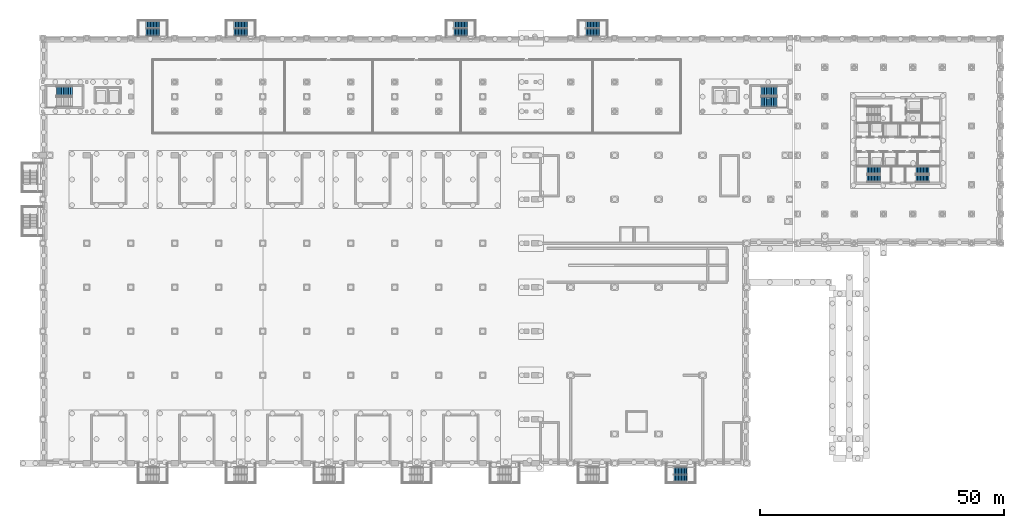
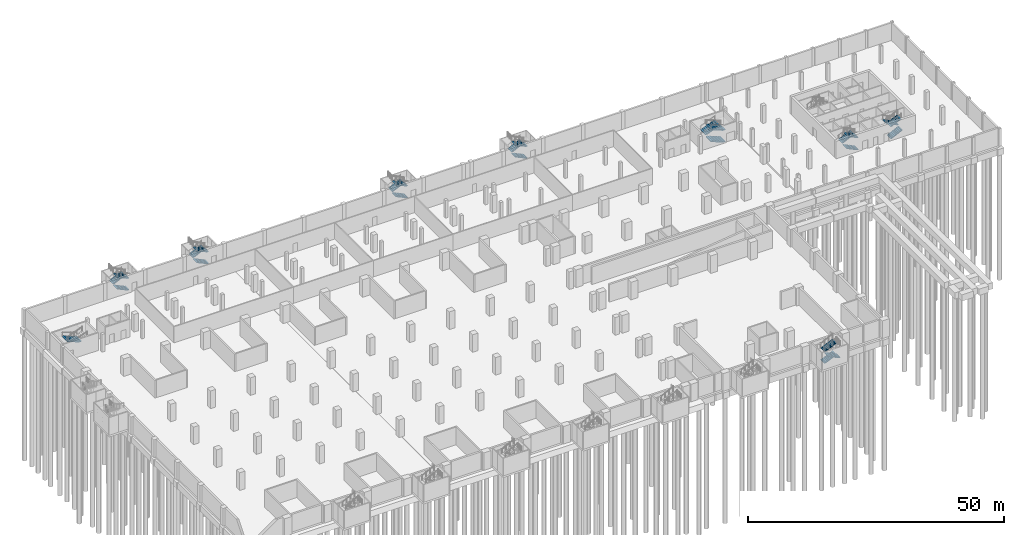
# One storey, part 19 of 29: 25 stair flights, 9 elements without a shape of their own.
"""IFC4 building model written with IfcOpenShell, lengths in metres."""

from ifc_helpers import new_model, si_unit, direction, frame, origin, place, context, subcontext, project, spatial, polyline, outline, extrude, material, type_object, element, aggregate, save


model = new_model("IFC4")

# Units and contexts
model_context = context("Model", 3, precision=1e-05, world=origin(), true_north=direction((0.0, 1.0)))
body_context = subcontext(model_context, "Body", "Model", "MODEL_VIEW")
ifc_project = project(units=[si_unit("LENGTHUNIT", "METRE"), si_unit("AREAUNIT", "SQUARE_METRE"), si_unit("VOLUMEUNIT", "CUBIC_METRE"), si_unit("PLANEANGLEUNIT", "RADIAN"), si_unit("MASSUNIT", "GRAM", prefix="KILO")], contexts=[model_context])

# Site, building, storey
site_placement = place(None, origin())
site = spatial("IfcSite", under=ifc_project, at=site_placement, CompositionType="ELEMENT")
building_placement = place(site_placement, origin())
building = spatial("IfcBuilding", under=site, at=building_placement, Name="Aravalli Gate Trade Fair Centre", CompositionType="ELEMENT")
storey_placement = place(building_placement, frame((0.0, 0.0, -8.39990234375)))
storey = spatial("IfcBuildingStorey", under=building, at=storey_placement, Name="B2", CompositionType="ELEMENT", Elevation=-8.39990234375)

# Stair, stair flights
ifc_material_1 = material(Name="Concrete M40", Category="concrete")
stair_type_1 = type_object("IfcStairType", Name="Basement exit stair 1500", PredefinedType="HALF_TURN_STAIR", material=ifc_material_1)
stair_1_placement = place(storey_placement, origin())
stair_1 = element("IfcStair", 1, at=stair_1_placement, inside=storey, type_object=stair_type_1, Name="Basement exit stair N1 B2 to B1", PredefinedType="HALF_TURN_STAIR")
stair_flight_type_1 = type_object("IfcStairFlightType", Name="Basement exit stair flight 1500", PredefinedType="STRAIGHT", material=ifc_material_1)
stair_flight_1_placement = place(storey_placement, frame((29.85009765625, 134.179931640625, 0.0), z_axis=(0.0, 0.0, 1.0), x_axis=(-1.0, 0.0, 0.0)))
stair_flight_1 = element("IfcStairFlight", 2, at=stair_flight_1_placement, type_object=stair_flight_type_1, Name="BS1 flight 1", NumberOfRisers=10, NumberOfTreads=9, PredefinedType="STRAIGHT", RiserHeight=0.14, TreadLength=0.3, context=body_context, shape_type="SweptSolid", body=[
    extrude(outline(polyline([(0.0, 0.0), (0.0, 0.139892578125), (0.300048828125, 0.139892578125), (0.300048828125, 0.280029296875), (0.60009765625, 0.280029296875), (0.60009765625, 0.419921875), (0.89990234375, 0.419921875), (0.89990234375, 0.56005859375), (1.199951171875, 0.56005859375), (1.199951171875, 0.699951171875), (1.5, 0.699951171875), (1.5, 0.840087890625), (1.800048828125, 0.840087890625), (1.800048828125, 0.97998046875), (2.10009765625, 0.97998046875), (2.10009765625, 1.1201171875), (2.39990234375, 1.1201171875), (2.39990234375, 1.260009765625), (2.699951171875, 1.260009765625), (2.699951171875, 1.39990234375), (2.699951171875, 1.094482421875), (0.3544921875, 0.0), (0.0, 0.0)])), frame((0.0, 0.75, 0.0), z_axis=(0.0, -1.0, 0.0), x_axis=(1.0, 0.0, 0.0)), (0.0, 0.0, 1.0), 1.5),
])
stair_flight_2_placement = place(storey_placement, frame((27.14990234375, 135.679931640625, 1.39990234375), z_axis=(0.0, 0.0, 1.0), x_axis=(1.0, 0.0, 0.0)))
stair_flight_2 = element("IfcStairFlight", 3, at=stair_flight_2_placement, type_object=stair_flight_type_1, Name="BS1 flight 2", NumberOfRisers=10, NumberOfTreads=9, PredefinedType="STRAIGHT", RiserHeight=0.14, TreadLength=0.3, context=body_context, shape_type="SweptSolid", body=[
    extrude(outline(polyline([(0.0, 0.0), (0.0, 0.139892578125), (0.300048828125, 0.139892578125), (0.300048828125, 0.280029296875), (0.60009765625, 0.280029296875), (0.60009765625, 0.419921875), (0.89990234375, 0.419921875), (0.89990234375, 0.56005859375), (1.199951171875, 0.56005859375), (1.199951171875, 0.699951171875), (1.5, 0.699951171875), (1.5, 0.840087890625), (1.800048828125, 0.840087890625), (1.800048828125, 0.97998046875), (2.10009765625, 0.97998046875), (2.10009765625, 1.1201171875), (2.39990234375, 1.1201171875), (2.39990234375, 1.260009765625), (2.699951171875, 1.260009765625), (2.699951171875, 1.39990234375), (2.699951171875, 1.094482421875), (0.3544921875, 0.0), (0.0, 0.0)])), frame((0.0, 0.75, 0.0), z_axis=(0.0, -1.0, 0.0), x_axis=(1.0, 0.0, 0.0)), (0.0, 0.0, 1.0), 1.5),
])
stair_flight_3_placement = place(storey_placement, frame((29.85009765625, 134.179931640625, 2.7998046875), z_axis=(0.0, 0.0, 1.0), x_axis=(-1.0, 0.0, 0.0)))
stair_flight_3 = element("IfcStairFlight", 4, at=stair_flight_3_placement, type_object=stair_flight_type_1, Name="BS1 flight 3", NumberOfRisers=10, NumberOfTreads=9, PredefinedType="STRAIGHT", RiserHeight=0.14, TreadLength=0.3, context=body_context, shape_type="SweptSolid", body=[
    extrude(outline(polyline([(0.0, 0.0), (0.0, 0.139892578125), (0.300048828125, 0.139892578125), (0.300048828125, 0.280029296875), (0.60009765625, 0.280029296875), (0.60009765625, 0.419921875), (0.89990234375, 0.419921875), (0.89990234375, 0.56005859375), (1.199951171875, 0.56005859375), (1.199951171875, 0.699951171875), (1.5, 0.699951171875), (1.5, 0.840087890625), (1.800048828125, 0.840087890625), (1.800048828125, 0.97998046875), (2.10009765625, 0.97998046875), (2.10009765625, 1.1201171875), (2.39990234375, 1.1201171875), (2.39990234375, 1.260009765625), (2.699951171875, 1.260009765625), (2.699951171875, 1.39990234375), (2.699951171875, 1.094482421875), (0.3544921875, 0.0), (0.0, 0.0)])), frame((0.0, 0.75, 0.0), z_axis=(0.0, -1.0, 0.0), x_axis=(1.0, 0.0, 0.0)), (0.0, 0.0, 1.0), 1.5),
])
aggregate(stair_1, [stair_flight_1, stair_flight_2, stair_flight_3])

stair_2_placement = place(storey_placement, origin())
stair_2 = element("IfcStair", 5, at=stair_2_placement, inside=storey, type_object=stair_type_1, Name="Basement exit stair N2 B2 to B1", PredefinedType="HALF_TURN_STAIR")
stair_flight_4_placement = place(storey_placement, frame((47.85009765625, 134.179931640625, 0.0), z_axis=(0.0, 0.0, 1.0), x_axis=(-1.0, 0.0, 0.0)))
stair_flight_4 = element("IfcStairFlight", 6, at=stair_flight_4_placement, type_object=stair_flight_type_1, Name="BS1 flight 1", NumberOfRisers=10, NumberOfTreads=9, PredefinedType="STRAIGHT", RiserHeight=0.14, TreadLength=0.3, context=body_context, shape_type="SweptSolid", body=[
    extrude(outline(polyline([(0.0, 0.0), (0.0, 0.139892578125), (0.300048828125, 0.139892578125), (0.300048828125, 0.280029296875), (0.60009765625, 0.280029296875), (0.60009765625, 0.419921875), (0.89990234375, 0.419921875), (0.89990234375, 0.56005859375), (1.199951171875, 0.56005859375), (1.199951171875, 0.699951171875), (1.5, 0.699951171875), (1.5, 0.840087890625), (1.800048828125, 0.840087890625), (1.800048828125, 0.97998046875), (2.10009765625, 0.97998046875), (2.10009765625, 1.1201171875), (2.39990234375, 1.1201171875), (2.39990234375, 1.260009765625), (2.699951171875, 1.260009765625), (2.699951171875, 1.39990234375), (2.699951171875, 1.094482421875), (0.3544921875, 0.0), (0.0, 0.0)])), frame((0.0, 0.75, 0.0), z_axis=(0.0, -1.0, 0.0), x_axis=(1.0, 0.0, 0.0)), (0.0, 0.0, 1.0), 1.5),
])
stair_flight_5_placement = place(storey_placement, frame((45.14990234375, 135.679931640625, 1.39990234375), z_axis=(0.0, 0.0, 1.0), x_axis=(1.0, 0.0, 0.0)))
stair_flight_5 = element("IfcStairFlight", 7, at=stair_flight_5_placement, type_object=stair_flight_type_1, Name="BS1 flight 2", NumberOfRisers=10, NumberOfTreads=9, PredefinedType="STRAIGHT", RiserHeight=0.14, TreadLength=0.3, context=body_context, shape_type="SweptSolid", body=[
    extrude(outline(polyline([(0.0, 0.0), (0.0, 0.139892578125), (0.300048828125, 0.139892578125), (0.300048828125, 0.280029296875), (0.60009765625, 0.280029296875), (0.60009765625, 0.419921875), (0.89990234375, 0.419921875), (0.89990234375, 0.56005859375), (1.199951171875, 0.56005859375), (1.199951171875, 0.699951171875), (1.5, 0.699951171875), (1.5, 0.840087890625), (1.800048828125, 0.840087890625), (1.800048828125, 0.97998046875), (2.10009765625, 0.97998046875), (2.10009765625, 1.1201171875), (2.39990234375, 1.1201171875), (2.39990234375, 1.260009765625), (2.699951171875, 1.260009765625), (2.699951171875, 1.39990234375), (2.699951171875, 1.094482421875), (0.3544921875, 0.0), (0.0, 0.0)])), frame((0.0, 0.75, 0.0), z_axis=(0.0, -1.0, 0.0), x_axis=(1.0, 0.0, 0.0)), (0.0, 0.0, 1.0), 1.5),
])
stair_flight_6_placement = place(storey_placement, frame((47.85009765625, 134.179931640625, 2.7998046875), z_axis=(0.0, 0.0, 1.0), x_axis=(-1.0, 0.0, 0.0)))
stair_flight_6 = element("IfcStairFlight", 8, at=stair_flight_6_placement, type_object=stair_flight_type_1, Name="BS1 flight 3", NumberOfRisers=10, NumberOfTreads=9, PredefinedType="STRAIGHT", RiserHeight=0.14, TreadLength=0.3, context=body_context, shape_type="SweptSolid", body=[
    extrude(outline(polyline([(0.0, 0.0), (0.0, 0.139892578125), (0.300048828125, 0.139892578125), (0.300048828125, 0.280029296875), (0.60009765625, 0.280029296875), (0.60009765625, 0.419921875), (0.89990234375, 0.419921875), (0.89990234375, 0.56005859375), (1.199951171875, 0.56005859375), (1.199951171875, 0.699951171875), (1.5, 0.699951171875), (1.5, 0.840087890625), (1.800048828125, 0.840087890625), (1.800048828125, 0.97998046875), (2.10009765625, 0.97998046875), (2.10009765625, 1.1201171875), (2.39990234375, 1.1201171875), (2.39990234375, 1.260009765625), (2.699951171875, 1.260009765625), (2.699951171875, 1.39990234375), (2.699951171875, 1.094482421875), (0.3544921875, 0.0), (0.0, 0.0)])), frame((0.0, 0.75, 0.0), z_axis=(0.0, -1.0, 0.0), x_axis=(1.0, 0.0, 0.0)), (0.0, 0.0, 1.0), 1.5),
])
aggregate(stair_2, [stair_flight_4, stair_flight_5, stair_flight_6])

stair_3_placement = place(storey_placement, origin())
stair_3 = element("IfcStair", 9, at=stair_3_placement, inside=storey, type_object=stair_type_1, Name="Basement exit stair N3 B2 to B1", PredefinedType="HALF_TURN_STAIR")
stair_flight_7_placement = place(storey_placement, frame((92.85009765625, 134.179931640625, 0.0), z_axis=(0.0, 0.0, 1.0), x_axis=(-1.0, 0.0, 0.0)))
stair_flight_7 = element("IfcStairFlight", 10, at=stair_flight_7_placement, type_object=stair_flight_type_1, Name="BS1 flight 1", NumberOfRisers=10, NumberOfTreads=9, PredefinedType="STRAIGHT", RiserHeight=0.14, TreadLength=0.3, context=body_context, shape_type="SweptSolid", body=[
    extrude(outline(polyline([(0.0, 0.0), (0.0, 0.139892578125), (0.300048828125, 0.139892578125), (0.300048828125, 0.280029296875), (0.60009765625, 0.280029296875), (0.60009765625, 0.419921875), (0.89990234375, 0.419921875), (0.89990234375, 0.56005859375), (1.199951171875, 0.56005859375), (1.199951171875, 0.699951171875), (1.5, 0.699951171875), (1.5, 0.840087890625), (1.800048828125, 0.840087890625), (1.800048828125, 0.97998046875), (2.10009765625, 0.97998046875), (2.10009765625, 1.1201171875), (2.39990234375, 1.1201171875), (2.39990234375, 1.260009765625), (2.699951171875, 1.260009765625), (2.699951171875, 1.39990234375), (2.699951171875, 1.094482421875), (0.3544921875, 0.0), (0.0, 0.0)])), frame((0.0, 0.75, 0.0), z_axis=(0.0, -1.0, 0.0), x_axis=(1.0, 0.0, 0.0)), (0.0, 0.0, 1.0), 1.5),
])
stair_flight_8_placement = place(storey_placement, frame((90.14990234375, 135.679931640625, 1.39990234375), z_axis=(0.0, 0.0, 1.0), x_axis=(1.0, 0.0, 0.0)))
stair_flight_8 = element("IfcStairFlight", 11, at=stair_flight_8_placement, type_object=stair_flight_type_1, Name="BS1 flight 2", NumberOfRisers=10, NumberOfTreads=9, PredefinedType="STRAIGHT", RiserHeight=0.14, TreadLength=0.3, context=body_context, shape_type="SweptSolid", body=[
    extrude(outline(polyline([(0.0, 0.0), (0.0, 0.139892578125), (0.300048828125, 0.139892578125), (0.300048828125, 0.280029296875), (0.60009765625, 0.280029296875), (0.60009765625, 0.419921875), (0.89990234375, 0.419921875), (0.89990234375, 0.56005859375), (1.199951171875, 0.56005859375), (1.199951171875, 0.699951171875), (1.5, 0.699951171875), (1.5, 0.840087890625), (1.800048828125, 0.840087890625), (1.800048828125, 0.97998046875), (2.10009765625, 0.97998046875), (2.10009765625, 1.1201171875), (2.39990234375, 1.1201171875), (2.39990234375, 1.260009765625), (2.699951171875, 1.260009765625), (2.699951171875, 1.39990234375), (2.699951171875, 1.094482421875), (0.3544921875, 0.0), (0.0, 0.0)])), frame((0.0, 0.75, 0.0), z_axis=(0.0, -1.0, 0.0), x_axis=(1.0, 0.0, 0.0)), (0.0, 0.0, 1.0), 1.5),
])
stair_flight_9_placement = place(storey_placement, frame((92.85009765625, 134.179931640625, 2.7998046875), z_axis=(0.0, 0.0, 1.0), x_axis=(-1.0, 0.0, 0.0)))
stair_flight_9 = element("IfcStairFlight", 12, at=stair_flight_9_placement, type_object=stair_flight_type_1, Name="BS1 flight 3", NumberOfRisers=10, NumberOfTreads=9, PredefinedType="STRAIGHT", RiserHeight=0.14, TreadLength=0.3, context=body_context, shape_type="SweptSolid", body=[
    extrude(outline(polyline([(0.0, 0.0), (0.0, 0.139892578125), (0.300048828125, 0.139892578125), (0.300048828125, 0.280029296875), (0.60009765625, 0.280029296875), (0.60009765625, 0.419921875), (0.89990234375, 0.419921875), (0.89990234375, 0.56005859375), (1.199951171875, 0.56005859375), (1.199951171875, 0.699951171875), (1.5, 0.699951171875), (1.5, 0.840087890625), (1.800048828125, 0.840087890625), (1.800048828125, 0.97998046875), (2.10009765625, 0.97998046875), (2.10009765625, 1.1201171875), (2.39990234375, 1.1201171875), (2.39990234375, 1.260009765625), (2.699951171875, 1.260009765625), (2.699951171875, 1.39990234375), (2.699951171875, 1.094482421875), (0.3544921875, 0.0), (0.0, 0.0)])), frame((0.0, 0.75, 0.0), z_axis=(0.0, -1.0, 0.0), x_axis=(1.0, 0.0, 0.0)), (0.0, 0.0, 1.0), 1.5),
])
aggregate(stair_3, [stair_flight_7, stair_flight_8, stair_flight_9])

stair_4_placement = place(storey_placement, origin())
stair_4 = element("IfcStair", 13, at=stair_4_placement, inside=storey, type_object=stair_type_1, Name="Basement exit stair N4 B2 to B1", PredefinedType="HALF_TURN_STAIR")
stair_flight_10_placement = place(storey_placement, frame((119.85009765625, 134.179931640625, 0.0), z_axis=(0.0, 0.0, 1.0), x_axis=(-1.0, 0.0, 0.0)))
stair_flight_10 = element("IfcStairFlight", 14, at=stair_flight_10_placement, type_object=stair_flight_type_1, Name="BS1 flight 1", NumberOfRisers=10, NumberOfTreads=9, PredefinedType="STRAIGHT", RiserHeight=0.14, TreadLength=0.3, context=body_context, shape_type="SweptSolid", body=[
    extrude(outline(polyline([(0.0, 0.0), (0.0, 0.139892578125), (0.300048828125, 0.139892578125), (0.300048828125, 0.280029296875), (0.60009765625, 0.280029296875), (0.60009765625, 0.419921875), (0.89990234375, 0.419921875), (0.89990234375, 0.56005859375), (1.199951171875, 0.56005859375), (1.199951171875, 0.699951171875), (1.5, 0.699951171875), (1.5, 0.840087890625), (1.800048828125, 0.840087890625), (1.800048828125, 0.97998046875), (2.10009765625, 0.97998046875), (2.10009765625, 1.1201171875), (2.39990234375, 1.1201171875), (2.39990234375, 1.260009765625), (2.699951171875, 1.260009765625), (2.699951171875, 1.39990234375), (2.699951171875, 1.094482421875), (0.3544921875, 0.0), (0.0, 0.0)])), frame((0.0, 0.75, 0.0), z_axis=(0.0, -1.0, 0.0), x_axis=(1.0, 0.0, 0.0)), (0.0, 0.0, 1.0), 1.5),
])
stair_flight_11_placement = place(storey_placement, frame((117.14990234375, 135.679931640625, 1.39990234375), z_axis=(0.0, 0.0, 1.0), x_axis=(1.0, 0.0, 0.0)))
stair_flight_11 = element("IfcStairFlight", 15, at=stair_flight_11_placement, type_object=stair_flight_type_1, Name="BS1 flight 2", NumberOfRisers=10, NumberOfTreads=9, PredefinedType="STRAIGHT", RiserHeight=0.14, TreadLength=0.3, context=body_context, shape_type="SweptSolid", body=[
    extrude(outline(polyline([(0.0, 0.0), (0.0, 0.139892578125), (0.300048828125, 0.139892578125), (0.300048828125, 0.280029296875), (0.60009765625, 0.280029296875), (0.60009765625, 0.419921875), (0.89990234375, 0.419921875), (0.89990234375, 0.56005859375), (1.199951171875, 0.56005859375), (1.199951171875, 0.699951171875), (1.5, 0.699951171875), (1.5, 0.840087890625), (1.800048828125, 0.840087890625), (1.800048828125, 0.97998046875), (2.10009765625, 0.97998046875), (2.10009765625, 1.1201171875), (2.39990234375, 1.1201171875), (2.39990234375, 1.260009765625), (2.699951171875, 1.260009765625), (2.699951171875, 1.39990234375), (2.699951171875, 1.094482421875), (0.3544921875, 0.0), (0.0, 0.0)])), frame((0.0, 0.75, 0.0), z_axis=(0.0, -1.0, 0.0), x_axis=(1.0, 0.0, 0.0)), (0.0, 0.0, 1.0), 1.5),
])
stair_flight_12_placement = place(storey_placement, frame((119.85009765625, 134.179931640625, 2.7998046875), z_axis=(0.0, 0.0, 1.0), x_axis=(-1.0, 0.0, 0.0)))
stair_flight_12 = element("IfcStairFlight", 16, at=stair_flight_12_placement, type_object=stair_flight_type_1, Name="BS1 flight 3", NumberOfRisers=10, NumberOfTreads=9, PredefinedType="STRAIGHT", RiserHeight=0.14, TreadLength=0.3, context=body_context, shape_type="SweptSolid", body=[
    extrude(outline(polyline([(0.0, 0.0), (0.0, 0.139892578125), (0.300048828125, 0.139892578125), (0.300048828125, 0.280029296875), (0.60009765625, 0.280029296875), (0.60009765625, 0.419921875), (0.89990234375, 0.419921875), (0.89990234375, 0.56005859375), (1.199951171875, 0.56005859375), (1.199951171875, 0.699951171875), (1.5, 0.699951171875), (1.5, 0.840087890625), (1.800048828125, 0.840087890625), (1.800048828125, 0.97998046875), (2.10009765625, 0.97998046875), (2.10009765625, 1.1201171875), (2.39990234375, 1.1201171875), (2.39990234375, 1.260009765625), (2.699951171875, 1.260009765625), (2.699951171875, 1.39990234375), (2.699951171875, 1.094482421875), (0.3544921875, 0.0), (0.0, 0.0)])), frame((0.0, 0.75, 0.0), z_axis=(0.0, -1.0, 0.0), x_axis=(1.0, 0.0, 0.0)), (0.0, 0.0, 1.0), 1.5),
])
aggregate(stair_4, [stair_flight_10, stair_flight_11, stair_flight_12])

stair_5_placement = place(storey_placement, origin())
stair_5 = element("IfcStair", 17, at=stair_5_placement, inside=storey, type_object=stair_type_1, Name="Basement exit stair S7 B2 to B1", PredefinedType="HALF_TURN_STAIR")
stair_flight_13_placement = place(storey_placement, frame((135.14990234375, 44.39990234375, 0.0), z_axis=(0.0, 0.0, 1.0), x_axis=(1.0, 0.0, 0.0)))
stair_flight_13 = element("IfcStairFlight", 18, at=stair_flight_13_placement, type_object=stair_flight_type_1, Name="BS1 flight 1", NumberOfRisers=10, NumberOfTreads=9, PredefinedType="STRAIGHT", RiserHeight=0.14, TreadLength=0.3, context=body_context, shape_type="SweptSolid", body=[
    extrude(outline(polyline([(0.0, 0.0), (0.0, 0.139892578125), (0.300048828125, 0.139892578125), (0.300048828125, 0.280029296875), (0.60009765625, 0.280029296875), (0.60009765625, 0.419921875), (0.89990234375, 0.419921875), (0.89990234375, 0.56005859375), (1.199951171875, 0.56005859375), (1.199951171875, 0.699951171875), (1.5, 0.699951171875), (1.5, 0.840087890625), (1.800048828125, 0.840087890625), (1.800048828125, 0.97998046875), (2.10009765625, 0.97998046875), (2.10009765625, 1.1201171875), (2.39990234375, 1.1201171875), (2.39990234375, 1.260009765625), (2.699951171875, 1.260009765625), (2.699951171875, 1.39990234375), (2.699951171875, 1.094482421875), (0.3544921875, 0.0), (0.0, 0.0)])), frame((0.0, 0.75, 0.0), z_axis=(0.0, -1.0, 0.0), x_axis=(1.0, 0.0, 0.0)), (0.0, 0.0, 1.0), 1.5),
])
stair_flight_14_placement = place(storey_placement, frame((137.85009765625, 42.89990234375, 1.39990234375), z_axis=(0.0, 0.0, 1.0), x_axis=(-1.0, 0.0, 0.0)))
stair_flight_14 = element("IfcStairFlight", 19, at=stair_flight_14_placement, type_object=stair_flight_type_1, Name="BS1 flight 2", NumberOfRisers=10, NumberOfTreads=9, PredefinedType="STRAIGHT", RiserHeight=0.14, TreadLength=0.3, context=body_context, shape_type="SweptSolid", body=[
    extrude(outline(polyline([(0.0, 0.0), (0.0, 0.139892578125), (0.300048828125, 0.139892578125), (0.300048828125, 0.280029296875), (0.60009765625, 0.280029296875), (0.60009765625, 0.419921875), (0.89990234375, 0.419921875), (0.89990234375, 0.56005859375), (1.199951171875, 0.56005859375), (1.199951171875, 0.699951171875), (1.5, 0.699951171875), (1.5, 0.840087890625), (1.800048828125, 0.840087890625), (1.800048828125, 0.97998046875), (2.10009765625, 0.97998046875), (2.10009765625, 1.1201171875), (2.39990234375, 1.1201171875), (2.39990234375, 1.260009765625), (2.699951171875, 1.260009765625), (2.699951171875, 1.39990234375), (2.699951171875, 1.094482421875), (0.3544921875, 0.0), (0.0, 0.0)])), frame((0.0, 0.75, 0.0), z_axis=(0.0, -1.0, 0.0), x_axis=(1.0, 0.0, 0.0)), (0.0, 0.0, 1.0), 1.5),
])
stair_flight_15_placement = place(storey_placement, frame((135.14990234375, 44.39990234375, 2.7998046875), z_axis=(0.0, 0.0, 1.0), x_axis=(1.0, 0.0, 0.0)))
stair_flight_15 = element("IfcStairFlight", 20, at=stair_flight_15_placement, type_object=stair_flight_type_1, Name="BS1 flight 3", NumberOfRisers=10, NumberOfTreads=9, PredefinedType="STRAIGHT", RiserHeight=0.14, TreadLength=0.3, context=body_context, shape_type="SweptSolid", body=[
    extrude(outline(polyline([(0.0, 0.0), (0.0, 0.139892578125), (0.300048828125, 0.139892578125), (0.300048828125, 0.280029296875), (0.60009765625, 0.280029296875), (0.60009765625, 0.419921875), (0.89990234375, 0.419921875), (0.89990234375, 0.56005859375), (1.199951171875, 0.56005859375), (1.199951171875, 0.699951171875), (1.5, 0.699951171875), (1.5, 0.840087890625), (1.800048828125, 0.840087890625), (1.800048828125, 0.97998046875), (2.10009765625, 0.97998046875), (2.10009765625, 1.1201171875), (2.39990234375, 1.1201171875), (2.39990234375, 1.260009765625), (2.699951171875, 1.260009765625), (2.699951171875, 1.39990234375), (2.699951171875, 1.094482421875), (0.3544921875, 0.0), (0.0, 0.0)])), frame((0.0, 0.75, 0.0), z_axis=(0.0, -1.0, 0.0), x_axis=(1.0, 0.0, 0.0)), (0.0, 0.0, 1.0), 1.5),
])
aggregate(stair_5, [stair_flight_13, stair_flight_14, stair_flight_15])

# Stair, stair flight
ifc_material_2 = material(Name="Concrete M30", Category="concrete")
stair_type_2 = type_object("IfcStairType", Name="Concourse stair, 2000 wide", PredefinedType="HALF_TURN_STAIR", material=ifc_material_2)
stair_6_placement = place(storey_placement, origin())
stair_6 = element("IfcStair", 21, at=stair_6_placement, inside=storey, type_object=stair_type_2, Name="Stair WS B2", PredefinedType="HALF_TURN_STAIR")
stair_flight_type_2 = type_object("IfcStairFlightType", Name="Concourse stair flight 2000", PredefinedType="STRAIGHT", material=ifc_material_2)
stair_flight_16_placement = place(storey_placement, frame((12.0400390625, 122.10009765625, 1.39990234375), z_axis=(0.0, 0.0, 1.0), x_axis=(-1.0, 0.0, 0.0)))
stair_flight_16 = element("IfcStairFlight", 22, at=stair_flight_16_placement, type_object=stair_flight_type_2, Name="STWS-B2 flight 2", NumberOfRisers=10, NumberOfTreads=9, PredefinedType="STRAIGHT", RiserHeight=0.14, TreadLength=0.36, context=body_context, shape_type="SweptSolid", body=[
    extrude(outline(polyline([(0.0, 0.0), (0.0, 0.139892578125), (0.360107421875, 0.139892578125), (0.360107421875, 0.280029296875), (0.719970703125, 0.280029296875), (0.719970703125, 0.419921875), (1.080078125, 0.419921875), (1.080078125, 0.56005859375), (1.43994140625, 0.56005859375), (1.43994140625, 0.699951171875), (1.800048828125, 0.699951171875), (1.800048828125, 0.840087890625), (2.159912109375, 0.840087890625), (2.159912109375, 0.97998046875), (2.52001953125, 0.97998046875), (2.52001953125, 1.1201171875), (2.8798828125, 1.1201171875), (2.8798828125, 1.260009765625), (3.239990234375, 1.260009765625), (3.239990234375, 1.39990234375), (3.239990234375, 1.04541015625), (0.5517578125, 0.0), (0.0, 0.0)])), frame((0.0, 1.0, 0.0), z_axis=(0.0, -1.0, 0.0), x_axis=(1.0, 0.0, 0.0)), (0.0, 0.0, 1.0), 2.0),
])
aggregate(stair_6, [stair_flight_16])

# Stair, stair flights
stair_7_placement = place(storey_placement, origin())
stair_7 = element("IfcStair", 23, at=stair_7_placement, inside=storey, type_object=stair_type_2, Name="Stair ES B2", PredefinedType="HALF_TURN_STAIR")
stair_flight_17_placement = place(storey_placement, frame((156.199951171875, 119.89990234375, 0.0), z_axis=(0.0, 0.0, 1.0), x_axis=(-1.0, 0.0, 0.0)))
stair_flight_17 = element("IfcStairFlight", 24, at=stair_flight_17_placement, type_object=stair_flight_type_2, Name="STES-B2 flight 1", NumberOfRisers=10, NumberOfTreads=9, PredefinedType="STRAIGHT", RiserHeight=0.14, TreadLength=0.36, context=body_context, shape_type="SweptSolid", body=[
    extrude(outline(polyline([(0.0, 0.0), (0.0, 0.139892578125), (0.360107421875, 0.139892578125), (0.360107421875, 0.280029296875), (0.719970703125, 0.280029296875), (0.719970703125, 0.419921875), (1.080078125, 0.419921875), (1.080078125, 0.56005859375), (1.43994140625, 0.56005859375), (1.43994140625, 0.699951171875), (1.800048828125, 0.699951171875), (1.800048828125, 0.840087890625), (2.159912109375, 0.840087890625), (2.159912109375, 0.97998046875), (2.52001953125, 0.97998046875), (2.52001953125, 1.1201171875), (2.8798828125, 1.1201171875), (2.8798828125, 1.260009765625), (3.239990234375, 1.260009765625), (3.239990234375, 1.39990234375), (3.239990234375, 1.04541015625), (0.5517578125, 0.0), (0.0, 0.0)])), frame((0.0, 1.0, 0.0), z_axis=(0.0, -1.0, 0.0), x_axis=(1.0, 0.0, 0.0)), (0.0, 0.0, 1.0), 2.0),
])
stair_flight_18_placement = place(storey_placement, frame((152.9599609375, 122.10009765625, 1.39990234375), z_axis=(0.0, 0.0, 1.0), x_axis=(1.0, 0.0, 0.0)))
stair_flight_18 = element("IfcStairFlight", 25, at=stair_flight_18_placement, type_object=stair_flight_type_2, Name="STES-B2 flight 2", NumberOfRisers=10, NumberOfTreads=9, PredefinedType="STRAIGHT", RiserHeight=0.14, TreadLength=0.36, context=body_context, shape_type="SweptSolid", body=[
    extrude(outline(polyline([(0.0, 0.0), (0.0, 0.139892578125), (0.360107421875, 0.139892578125), (0.360107421875, 0.280029296875), (0.719970703125, 0.280029296875), (0.719970703125, 0.419921875), (1.080078125, 0.419921875), (1.080078125, 0.56005859375), (1.43994140625, 0.56005859375), (1.43994140625, 0.699951171875), (1.800048828125, 0.699951171875), (1.800048828125, 0.840087890625), (2.159912109375, 0.840087890625), (2.159912109375, 0.97998046875), (2.52001953125, 0.97998046875), (2.52001953125, 1.1201171875), (2.8798828125, 1.1201171875), (2.8798828125, 1.260009765625), (3.239990234375, 1.260009765625), (3.239990234375, 1.39990234375), (3.239990234375, 1.04541015625), (0.5517578125, 0.0), (0.0, 0.0)])), frame((0.0, 1.0, 0.0), z_axis=(0.0, -1.0, 0.0), x_axis=(1.0, 0.0, 0.0)), (0.0, 0.0, 1.0), 2.0),
])
stair_flight_19_placement = place(storey_placement, frame((156.199951171875, 119.89990234375, 2.7998046875), z_axis=(0.0, 0.0, 1.0), x_axis=(-1.0, 0.0, 0.0)))
stair_flight_19 = element("IfcStairFlight", 26, at=stair_flight_19_placement, type_object=stair_flight_type_2, Name="STES-B2 flight 3", NumberOfRisers=10, NumberOfTreads=9, PredefinedType="STRAIGHT", RiserHeight=0.14, TreadLength=0.36, context=body_context, shape_type="SweptSolid", body=[
    extrude(outline(polyline([(0.0, 0.0), (0.0, 0.139892578125), (0.360107421875, 0.139892578125), (0.360107421875, 0.280029296875), (0.719970703125, 0.280029296875), (0.719970703125, 0.419921875), (1.080078125, 0.419921875), (1.080078125, 0.56005859375), (1.43994140625, 0.56005859375), (1.43994140625, 0.699951171875), (1.800048828125, 0.699951171875), (1.800048828125, 0.840087890625), (2.159912109375, 0.840087890625), (2.159912109375, 0.97998046875), (2.52001953125, 0.97998046875), (2.52001953125, 1.1201171875), (2.8798828125, 1.1201171875), (2.8798828125, 1.260009765625), (3.239990234375, 1.260009765625), (3.239990234375, 1.39990234375), (3.239990234375, 1.04541015625), (0.5517578125, 0.0), (0.0, 0.0)])), frame((0.0, 1.0, 0.0), z_axis=(0.0, -1.0, 0.0), x_axis=(1.0, 0.0, 0.0)), (0.0, 0.0, 1.0), 2.0),
])
aggregate(stair_7, [stair_flight_17, stair_flight_18, stair_flight_19])

stair_type_3 = type_object("IfcStairType", Name="Wing core stair", PredefinedType="HALF_TURN_STAIR", material=ifc_material_2)
stair_8_placement = place(storey_placement, origin())
stair_8 = element("IfcStair", 27, at=stair_8_placement, inside=storey, type_object=stair_type_3, Name="Stair S2 B2", PredefinedType="HALF_TURN_STAIR")
stair_flight_type_3 = type_object("IfcStairFlightType", Name="Wing core stair flight", PredefinedType="STRAIGHT", material=ifc_material_2)
stair_flight_20_placement = place(storey_placement, frame((177.35009765625, 104.27001953125, 0.0), z_axis=(0.0, 0.0, 1.0), x_axis=(-1.0, 0.0, 0.0)))
stair_flight_20 = element("IfcStairFlight", 28, at=stair_flight_20_placement, type_object=stair_flight_type_3, Name="TST1 flight 1", NumberOfRisers=10, NumberOfTreads=9, PredefinedType="STRAIGHT", RiserHeight=0.144827586, TreadLength=0.3, context=body_context, shape_type="SweptSolid", body=[
    extrude(outline(polyline([(0.0, 0.0), (0.0, 0.144775390625), (0.300048828125, 0.144775390625), (0.300048828125, 0.28955078125), (0.60009765625, 0.28955078125), (0.60009765625, 0.4345703125), (0.89990234375, 0.4345703125), (0.89990234375, 0.579345703125), (1.199951171875, 0.579345703125), (1.199951171875, 0.72412109375), (1.5, 0.72412109375), (1.5, 0.868896484375), (1.800048828125, 0.868896484375), (1.800048828125, 1.013671875), (2.10009765625, 1.013671875), (2.10009765625, 1.15869140625), (2.39990234375, 1.15869140625), (2.39990234375, 1.303466796875), (2.699951171875, 1.303466796875), (2.699951171875, 1.4482421875), (2.699951171875, 1.1591796875), (0.298828125, 0.0), (0.0, 0.0)])), frame((0.0, 0.77001953125, 0.0), z_axis=(0.0, -1.0, 0.0), x_axis=(1.0, 0.0, 0.0)), (0.0, 0.0, 1.0), 1.5400390625),
])
stair_flight_21_placement = place(storey_placement, frame((174.64990234375, 105.929931640625, 1.4482421875), z_axis=(0.0, 0.0, 1.0), x_axis=(1.0, 0.0, 0.0)))
stair_flight_21 = element("IfcStairFlight", 29, at=stair_flight_21_placement, type_object=stair_flight_type_3, Name="TST1 flight 2", NumberOfRisers=10, NumberOfTreads=9, PredefinedType="STRAIGHT", RiserHeight=0.144827586, TreadLength=0.3, context=body_context, shape_type="SweptSolid", body=[
    extrude(outline(polyline([(0.0, 0.0), (0.0, 0.144775390625), (0.300048828125, 0.144775390625), (0.300048828125, 0.28955078125), (0.60009765625, 0.28955078125), (0.60009765625, 0.4345703125), (0.89990234375, 0.4345703125), (0.89990234375, 0.579345703125), (1.199951171875, 0.579345703125), (1.199951171875, 0.72412109375), (1.5, 0.72412109375), (1.5, 0.868896484375), (1.800048828125, 0.868896484375), (1.800048828125, 1.013671875), (2.10009765625, 1.013671875), (2.10009765625, 1.15869140625), (2.39990234375, 1.15869140625), (2.39990234375, 1.303466796875), (2.699951171875, 1.303466796875), (2.699951171875, 1.4482421875), (2.699951171875, 1.1591796875), (0.298828125, 0.0), (0.0, 0.0)])), frame((0.0, 0.77001953125, 0.0), z_axis=(0.0, -1.0, 0.0), x_axis=(1.0, 0.0, 0.0)), (0.0, 0.0, 1.0), 1.5400390625),
])
stair_flight_22_placement = place(storey_placement, frame((177.35009765625, 104.27001953125, 2.896484375), z_axis=(0.0, 0.0, 1.0), x_axis=(-1.0, 0.0, 0.0)))
stair_flight_22 = element("IfcStairFlight", 30, at=stair_flight_22_placement, type_object=stair_flight_type_3, Name="TST1 flight 3", NumberOfRisers=9, NumberOfTreads=8, PredefinedType="STRAIGHT", RiserHeight=0.144827586, TreadLength=0.3, context=body_context, shape_type="SweptSolid", body=[
    extrude(outline(polyline([(0.0, 0.0), (0.0, 0.144775390625), (0.300048828125, 0.144775390625), (0.300048828125, 0.28955078125), (0.60009765625, 0.28955078125), (0.60009765625, 0.4345703125), (0.89990234375, 0.4345703125), (0.89990234375, 0.579345703125), (1.199951171875, 0.579345703125), (1.199951171875, 0.72412109375), (1.5, 0.72412109375), (1.5, 0.868896484375), (1.800048828125, 0.868896484375), (1.800048828125, 1.013671875), (2.10009765625, 1.013671875), (2.10009765625, 1.15869140625), (2.39990234375, 1.15869140625), (2.39990234375, 1.303466796875), (2.39990234375, 1.014404296875), (0.298828125, 0.0), (0.0, 0.0)])), frame((0.0, 0.77001953125, 0.0), z_axis=(0.0, -1.0, 0.0), x_axis=(1.0, 0.0, 0.0)), (0.0, 0.0, 1.0), 1.5400390625),
])
aggregate(stair_8, [stair_flight_20, stair_flight_21, stair_flight_22])

stair_9_placement = place(storey_placement, origin())
stair_9 = element("IfcStair", 31, at=stair_9_placement, inside=storey, type_object=stair_type_3, Name="Stair S1 B2", PredefinedType="HALF_TURN_STAIR")
stair_flight_23_placement = place(storey_placement, frame((184.64990234375, 104.27001953125, 0.0), z_axis=(0.0, 0.0, 1.0), x_axis=(1.0, 0.0, 0.0)))
stair_flight_23 = element("IfcStairFlight", 32, at=stair_flight_23_placement, type_object=stair_flight_type_3, Name="TST1 flight 1", NumberOfRisers=10, NumberOfTreads=9, PredefinedType="STRAIGHT", RiserHeight=0.144827586, TreadLength=0.3, context=body_context, shape_type="SweptSolid", body=[
    extrude(outline(polyline([(0.0, 0.0), (0.0, 0.144775390625), (0.300048828125, 0.144775390625), (0.300048828125, 0.28955078125), (0.60009765625, 0.28955078125), (0.60009765625, 0.4345703125), (0.89990234375, 0.4345703125), (0.89990234375, 0.579345703125), (1.199951171875, 0.579345703125), (1.199951171875, 0.72412109375), (1.5, 0.72412109375), (1.5, 0.868896484375), (1.800048828125, 0.868896484375), (1.800048828125, 1.013671875), (2.10009765625, 1.013671875), (2.10009765625, 1.15869140625), (2.39990234375, 1.15869140625), (2.39990234375, 1.303466796875), (2.699951171875, 1.303466796875), (2.699951171875, 1.4482421875), (2.699951171875, 1.1591796875), (0.298828125, 0.0), (0.0, 0.0)])), frame((0.0, 0.77001953125, 0.0), z_axis=(0.0, -1.0, 0.0), x_axis=(1.0, 0.0, 0.0)), (0.0, 0.0, 1.0), 1.5400390625),
])
stair_flight_24_placement = place(storey_placement, frame((187.35009765625, 105.929931640625, 1.4482421875), z_axis=(0.0, 0.0, 1.0), x_axis=(-1.0, 0.0, 0.0)))
stair_flight_24 = element("IfcStairFlight", 33, at=stair_flight_24_placement, type_object=stair_flight_type_3, Name="TST1 flight 2", NumberOfRisers=10, NumberOfTreads=9, PredefinedType="STRAIGHT", RiserHeight=0.144827586, TreadLength=0.3, context=body_context, shape_type="SweptSolid", body=[
    extrude(outline(polyline([(0.0, 0.0), (0.0, 0.144775390625), (0.300048828125, 0.144775390625), (0.300048828125, 0.28955078125), (0.60009765625, 0.28955078125), (0.60009765625, 0.4345703125), (0.89990234375, 0.4345703125), (0.89990234375, 0.579345703125), (1.199951171875, 0.579345703125), (1.199951171875, 0.72412109375), (1.5, 0.72412109375), (1.5, 0.868896484375), (1.800048828125, 0.868896484375), (1.800048828125, 1.013671875), (2.10009765625, 1.013671875), (2.10009765625, 1.15869140625), (2.39990234375, 1.15869140625), (2.39990234375, 1.303466796875), (2.699951171875, 1.303466796875), (2.699951171875, 1.4482421875), (2.699951171875, 1.1591796875), (0.298828125, 0.0), (0.0, 0.0)])), frame((0.0, 0.77001953125, 0.0), z_axis=(0.0, -1.0, 0.0), x_axis=(1.0, 0.0, 0.0)), (0.0, 0.0, 1.0), 1.5400390625),
])
stair_flight_25_placement = place(storey_placement, frame((184.64990234375, 104.27001953125, 2.896484375), z_axis=(0.0, 0.0, 1.0), x_axis=(1.0, 0.0, 0.0)))
stair_flight_25 = element("IfcStairFlight", 34, at=stair_flight_25_placement, type_object=stair_flight_type_3, Name="TST1 flight 3", NumberOfRisers=9, NumberOfTreads=8, PredefinedType="STRAIGHT", RiserHeight=0.144827586, TreadLength=0.3, context=body_context, shape_type="SweptSolid", body=[
    extrude(outline(polyline([(0.0, 0.0), (0.0, 0.144775390625), (0.300048828125, 0.144775390625), (0.300048828125, 0.28955078125), (0.60009765625, 0.28955078125), (0.60009765625, 0.4345703125), (0.89990234375, 0.4345703125), (0.89990234375, 0.579345703125), (1.199951171875, 0.579345703125), (1.199951171875, 0.72412109375), (1.5, 0.72412109375), (1.5, 0.868896484375), (1.800048828125, 0.868896484375), (1.800048828125, 1.013671875), (2.10009765625, 1.013671875), (2.10009765625, 1.15869140625), (2.39990234375, 1.15869140625), (2.39990234375, 1.303466796875), (2.39990234375, 1.014404296875), (0.298828125, 0.0), (0.0, 0.0)])), frame((0.0, 0.77001953125, 0.0), z_axis=(0.0, -1.0, 0.0), x_axis=(1.0, 0.0, 0.0)), (0.0, 0.0, 1.0), 1.5400390625),
])
aggregate(stair_9, [stair_flight_23, stair_flight_24, stair_flight_25])

save(model, "model.ifc")
